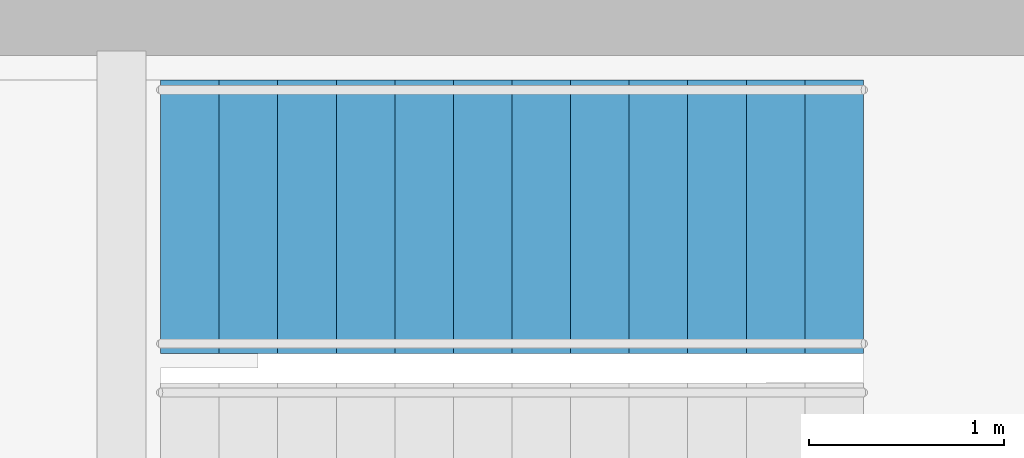
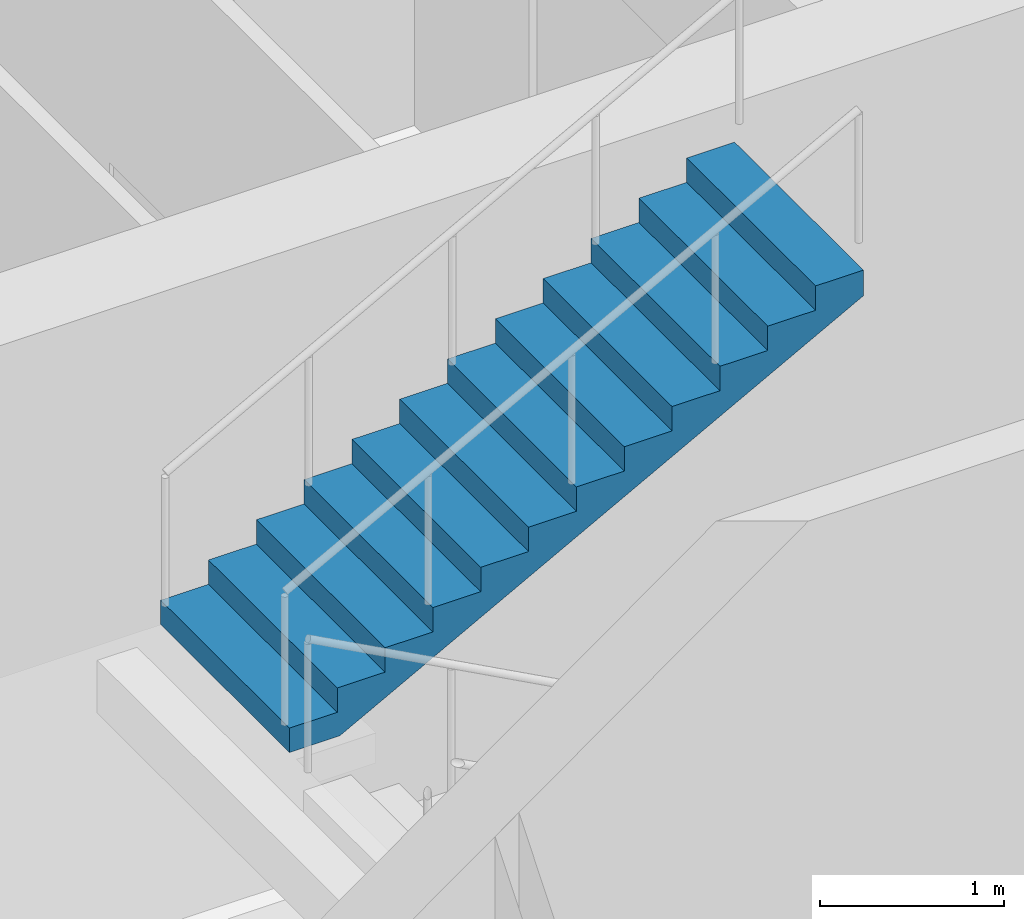
# One storey, part 11 of 13: 1 stair flight, 1 element without a shape of its own.
"""IFC4 building model written with IfcOpenShell, lengths in metres."""

from ifc_helpers import new_model, si_unit, direction, frame, origin, place, context, subcontext, project, spatial, polyline, outline, extrude, material, type_object, element, aggregate, save


model = new_model("IFC4")

# Units and contexts
model_context = context("Model", 3, precision=1e-05, world=origin(), true_north=direction((0.0, 1.0)))
body_context = subcontext(model_context, "Body", "Model", "MODEL_VIEW")
ifc_project = project(units=[si_unit("LENGTHUNIT", "METRE"), si_unit("AREAUNIT", "SQUARE_METRE"), si_unit("VOLUMEUNIT", "CUBIC_METRE"), si_unit("PLANEANGLEUNIT", "RADIAN"), si_unit("MASSUNIT", "GRAM", prefix="KILO")], contexts=[model_context])

# Site, building, storey
site_placement = place(None, origin())
site = spatial("IfcSite", under=ifc_project, at=site_placement, CompositionType="ELEMENT")
building_placement = place(site_placement, origin())
building = spatial("IfcBuilding", under=site, at=building_placement, Name="Msitu Wima Residences", CompositionType="ELEMENT")
storey_placement = place(building_placement, frame((0.0, 0.0, 281.10009765625)))
storey = spatial("IfcBuildingStorey", under=building, at=storey_placement, Name="L65", CompositionType="ELEMENT", Elevation=281.10009765625)

# Stair, stair flight
ifc_material = material(Name="Concrete C40/50", Category="concrete")
stair_type = type_object("IfcStairType", Name="Exit stair ES1615-140", PredefinedType="HALF_TURN_STAIR", material=ifc_material)
stair_placement = place(storey_placement, origin())
stair = element("IfcStair", 1, at=stair_placement, inside=storey, type_object=stair_type, Name="Exit stair 3", PredefinedType="HALF_TURN_STAIR")
stair_flight_type = type_object("IfcStairFlightType", Name="Exit stair flight ES1615-140", PredefinedType="STRAIGHT", material=ifc_material)
stair_flight_placement = place(storey_placement, frame((8.27490234375, 10.574951171875, 2.099853515625), z_axis=(0.0, 0.0, 1.0), x_axis=(1.0, 0.0, 0.0)))
stair_flight = element("IfcStairFlight", 2, at=stair_flight_placement, type_object=stair_flight_type, Name="S3 flight 2", NumberOfRisers=13, NumberOfTreads=12, PredefinedType="STRAIGHT", RiserHeight=0.161538462, TreadLength=0.3, context=body_context, shape_type="SweptSolid", body=[
    extrude(outline(polyline([(0.0, 0.0), (0.0, 0.16162109375), (0.300048828125, 0.16162109375), (0.300048828125, 0.322998046875), (0.60009765625, 0.322998046875), (0.60009765625, 0.484619140625), (0.89990234375, 0.484619140625), (0.89990234375, 0.646240234375), (1.199951171875, 0.646240234375), (1.199951171875, 0.8076171875), (1.5, 0.8076171875), (1.5, 0.96923828125), (1.800048828125, 0.96923828125), (1.800048828125, 1.130859375), (2.10009765625, 1.130859375), (2.10009765625, 1.292236328125), (2.39990234375, 1.292236328125), (2.39990234375, 1.453857421875), (2.699951171875, 1.453857421875), (2.699951171875, 1.615478515625), (3.0, 1.615478515625), (3.0, 1.77685546875), (3.300048828125, 1.77685546875), (3.300048828125, 1.9384765625), (3.60009765625, 1.9384765625), (3.60009765625, 2.10009765625), (3.60009765625, 1.768310546875), (0.316162109375, 0.0), (0.0, 0.0)])), frame((0.0, 0.699951171875, 0.0), z_axis=(0.0, -1.0, 0.0), x_axis=(1.0, 0.0, 0.0)), (0.0, 0.0, 1.0), 1.39990234375),
])
aggregate(stair, [stair_flight])

save(model, "model.ifc")
